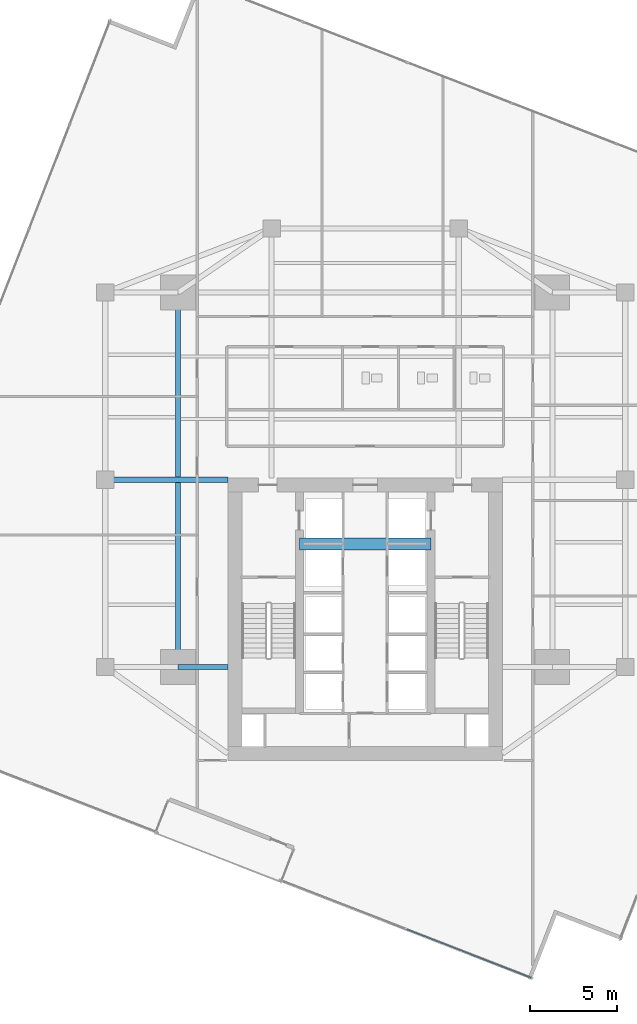
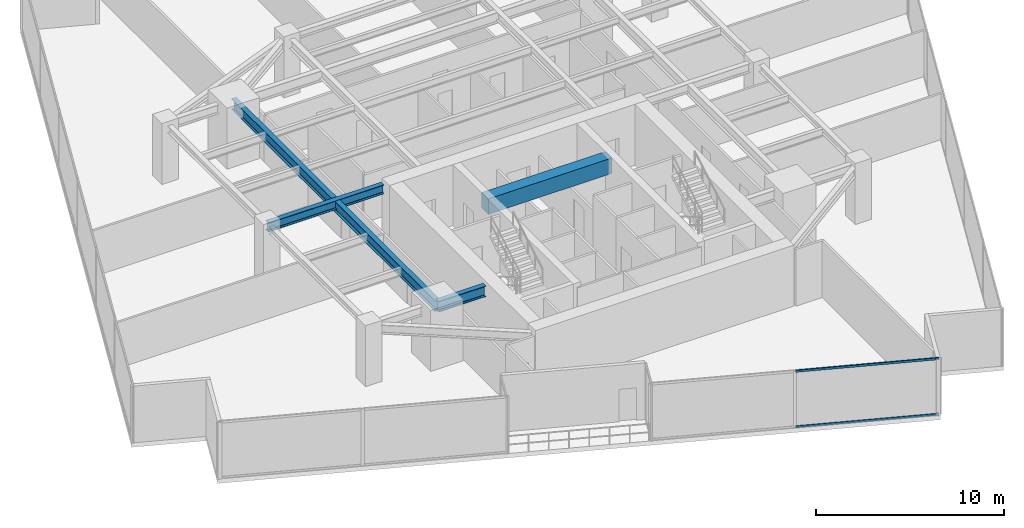
# One storey, part 8 of 26: 4 beams, 2 members, 1 element without a shape of its own.
"""IFC4 building model written with IfcOpenShell, lengths in metres."""

from ifc_helpers import new_model, si_unit, direction, frame, origin, origin_2d, place, context, subcontext, project, spatial, rectangle, hollow_rectangle, i_section, extrude, source, transform, mapped, material, material_profile, profile_set, type_object, type_shapes, element, aggregate, save


model = new_model("IFC4")

# Units and contexts
model_context = context("Model", 3, precision=1e-05, world=origin(), true_north=direction((0.0, 1.0)))
body_context = subcontext(model_context, "Body", "Model", "MODEL_VIEW")
ifc_project = project(units=[si_unit("LENGTHUNIT", "METRE"), si_unit("AREAUNIT", "SQUARE_METRE"), si_unit("VOLUMEUNIT", "CUBIC_METRE"), si_unit("PLANEANGLEUNIT", "RADIAN"), si_unit("MASSUNIT", "GRAM", prefix="KILO")], contexts=[model_context])

# Site, building, storey
site_placement = place(None, origin())
site = spatial("IfcSite", under=ifc_project, at=site_placement, CompositionType="ELEMENT")
building_placement = place(site_placement, origin())
building = spatial("IfcBuilding", under=site, at=building_placement, Name="Krantzveldt Concourse Tower", CompositionType="ELEMENT")
storey_placement = place(building_placement, frame((0.0, 0.0, 129.550048828125)))
storey = spatial("IfcBuildingStorey", under=building, at=storey_placement, Name="L31", CompositionType="ELEMENT", Elevation=129.550048828125)

# Beams
ifc_material_1 = material(Name="Steel S355J2", Category="steel")
ifc_material_profile_1 = material_profile(ifc_material_1, i_section(OverallWidth=0.300048828125, OverallDepth=0.699951171875, WebThickness=0.01708984375, FlangeThickness=0.031982421875, FilletRadius=0.027099609375, at=origin_2d()), Name="Steel S355J2", Category="steel")
ifc_profile_set_1 = profile_set([ifc_material_profile_1], Name="Steel S355J2 - HEB 700")
beam_type_1 = type_object("IfcBeamType", Name="BM-B-HEB700", PredefinedType="BEAM", material=ifc_profile_set_1)
shared_shape_1 = source(origin(), body_context, "Body", "SweptSolid", [
    extrude(i_section(OverallWidth=0.300048828125, OverallDepth=0.699951171875, WebThickness=0.01708984375, FlangeThickness=0.031982421875, FilletRadius=0.027099609375, at=origin_2d()), origin(), (0.0, 0.0, 1.0), 2.880126953125),
])
beam_1_placement = place(storey_placement, frame((25.199951171875, 15.89990234375, 3.320068359375), z_axis=(1.0, 0.0, 0.0), x_axis=(0.0, 1.0, 0.0)))
element("IfcBeam", 1, at=beam_1_placement, inside=storey, type_object=beam_type_1, Name="L31 Tower Girder BG-CW1", PredefinedType="BEAM", context=body_context, shape_type="MappedRepresentation", body=[
    mapped(shared_shape_1, transform((0.0, 0.0, 0.0), x_axis=(1.0, 0.0, 0.0), y_axis=(0.0, 1.0, 0.0), z_axis=(0.0, 0.0, 1.0), scale=1.0)),
])
shared_shape_2 = source(origin(), body_context, "Body", "SweptSolid", [
    extrude(i_section(OverallWidth=0.300048828125, OverallDepth=0.699951171875, WebThickness=0.01708984375, FlangeThickness=0.031982421875, FilletRadius=0.027099609375, at=origin_2d()), origin(), (0.0, 0.0, 1.0), 21.60009765625),
])
type_shapes(beam_type_1, [shared_shape_1, shared_shape_2])
beam_2_placement = place(storey_placement, frame((25.199951171875, 15.89990234375, 3.320068359375), z_axis=(0.0, 1.0, 0.0), x_axis=(-1.0, 0.0, 0.0)))
element("IfcBeam", 2, at=beam_2_placement, inside=storey, type_object=beam_type_1, Name="L31 Tower Girder BG-MW", PredefinedType="BEAM", context=body_context, shape_type="MappedRepresentation", body=[
    mapped(shared_shape_2, transform((0.0, 0.0, 0.0), x_axis=(1.0, 0.0, 0.0), y_axis=(0.0, 1.0, 0.0), z_axis=(0.0, 0.0, 1.0), scale=1.0)),
])
ifc_material_2 = material(Name="Steel S355JR", Category="steel")
ifc_material_profile_2 = material_profile(ifc_material_2, i_section(OverallWidth=0.300048828125, OverallDepth=0.590087890625, WebThickness=0.012939453125, FlangeThickness=0.02490234375, FilletRadius=0.027099609375, at=origin_2d()), Name="Steel S355JR", Category="steel")
ifc_profile_set_2 = profile_set([ifc_material_profile_2], Name="Steel S355JR - HEA 600")
beam_type_2 = type_object("IfcBeamType", Name="BM-B-HEA600", PredefinedType="BEAM", material=ifc_profile_set_2)
shared_shape_3 = source(origin(), body_context, "Body", "SweptSolid", [
    extrude(i_section(OverallWidth=0.300048828125, OverallDepth=0.590087890625, WebThickness=0.012939453125, FlangeThickness=0.02490234375, FilletRadius=0.027099609375, at=origin_2d()), origin(), (0.0, 0.0, 1.0), 7.080078125),
])
type_shapes(beam_type_2, [shared_shape_3])
beam_3_placement = place(storey_placement, frame((21.0, 26.699951171875, 3.375), z_axis=(1.0, 0.0, 0.0), x_axis=(0.0, 1.0, 0.0)))
element("IfcBeam", 3, at=beam_3_placement, inside=storey, type_object=beam_type_2, Name="L31 Tower Girder BG-CW2", PredefinedType="BEAM", context=body_context, shape_type="MappedRepresentation", body=[
    mapped(shared_shape_3, transform((0.0, 0.0, 0.0), x_axis=(1.0, 0.0, 0.0), y_axis=(0.0, 1.0, 0.0), z_axis=(0.0, 0.0, 1.0), scale=1.0)),
])
ifc_material_3 = material(Name="Concrete C50/60", Category="concrete")
ifc_material_profile_3 = material_profile(ifc_material_3, rectangle(XDim=0.699951171875, YDim=1.0, at=origin_2d()), Name="Concrete C50/60", Category="concrete")
ifc_profile_set_3 = profile_set([ifc_material_profile_3], Name="Concrete C50/60 - RC-CB 700x1000")
beam_type_3 = type_object("IfcBeamType", Name="BM-CB-1000", PredefinedType="LINTEL", material=ifc_profile_set_3)
shared_shape_4 = source(origin(), body_context, "Body", "SweptSolid", [
    extrude(rectangle(XDim=0.699951171875, YDim=1.0, at=origin_2d()), origin(), (0.0, 0.0, 1.0), 7.580078125),
])
type_shapes(beam_type_3, [shared_shape_4])
beam_4_placement = place(storey_placement, frame((32.2099609375, 23.0, 3.169921875), z_axis=(1.0, 0.0, 0.0), x_axis=(0.0, 1.0, 0.0)))
element("IfcBeam", 4, at=beam_4_placement, inside=storey, type_object=beam_type_3, Name="CB-L31-01", PredefinedType="LINTEL", context=body_context, shape_type="MappedRepresentation", body=[
    mapped(shared_shape_4, transform((0.0, 0.0, 0.0), x_axis=(1.0, 0.0, 0.0), y_axis=(0.0, 1.0, 0.0), z_axis=(0.0, 0.0, 1.0), scale=1.0)),
])

# Curtain wall, members
ifc_material_4 = material(Name="Anodised aluminium 6063-T6", Category="aluminium")
curtain_wall_type = type_object("IfcCurtainWallType", Name="CW2", PredefinedType="USERDEFINED", material=ifc_material_4)
curtain_wall_placement = place(storey_placement, origin())
curtain_wall = element("IfcCurtainWall", 5, at=curtain_wall_placement, inside=storey, type_object=curtain_wall_type, Name="CW-L31-F08", ObjectType="UNITISED CURTAIN WALL", PredefinedType="USERDEFINED")
ifc_material_profile_4 = material_profile(ifc_material_4, hollow_rectangle(XDim=0.070068359375, YDim=0.139892578125, WallThickness=0.0048828125, at=origin_2d()), Name="Anodised aluminium 6063-T6", Category="aluminium")
ifc_profile_set_4 = profile_set([ifc_material_profile_4], Name="Anodised aluminium 6063-T6 - ALU-TRAN 140x70x5")
member_type = type_object("IfcMemberType", Name="CW-TRN-150", PredefinedType="USERDEFINED", material=ifc_profile_set_4)
shared_shape_5 = source(origin(), body_context, "Body", "SweptSolid", [
    extrude(hollow_rectangle(XDim=0.070068359375, YDim=0.139892578125, WallThickness=0.0048828125, at=origin_2d()), origin(), (0.0, 0.0, 1.0), 7.695068359375),
])
type_shapes(member_type, [shared_shape_5])
member_1_placement = place(storey_placement, frame((38.3955078125, 0.7578125, 0.034912109375), z_axis=(0.9320153886, -0.362418701797, 0.0), x_axis=(0.362418701797, 0.9320153886, 0.0)))
member_1 = element("IfcMember", 6, at=member_1_placement, type_object=member_type, Name="CW-Z12 transom 2.1", ObjectType="TRANSOM", PredefinedType="USERDEFINED", context=body_context, shape_type="MappedRepresentation", body=[
    mapped(shared_shape_5, transform((0.0, 0.0, 0.0), x_axis=(1.0, 0.0, 0.0), y_axis=(0.0, 1.0, 0.0), z_axis=(0.0, 0.0, 1.0), scale=1.0)),
])
member_2_placement = place(storey_placement, frame((38.3955078125, 0.7578125, 3.635009765625), z_axis=(0.9320153886, -0.362418701797, 0.0), x_axis=(0.362418701797, 0.9320153886, 0.0)))
member_2 = element("IfcMember", 7, at=member_2_placement, type_object=member_type, Name="CW-Z12 transom 2.2", ObjectType="TRANSOM", PredefinedType="USERDEFINED", context=body_context, shape_type="MappedRepresentation", body=[
    mapped(shared_shape_5, transform((0.0, 0.0, 0.0), x_axis=(1.0, 0.0, 0.0), y_axis=(0.0, 1.0, 0.0), z_axis=(0.0, 0.0, 1.0), scale=1.0)),
])
aggregate(curtain_wall, [member_1, member_2])

save(model, "model.ifc")
